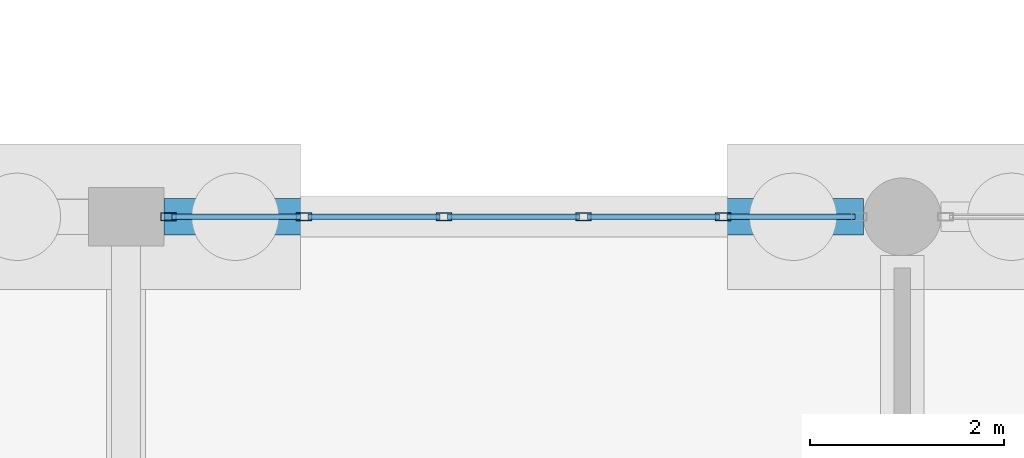
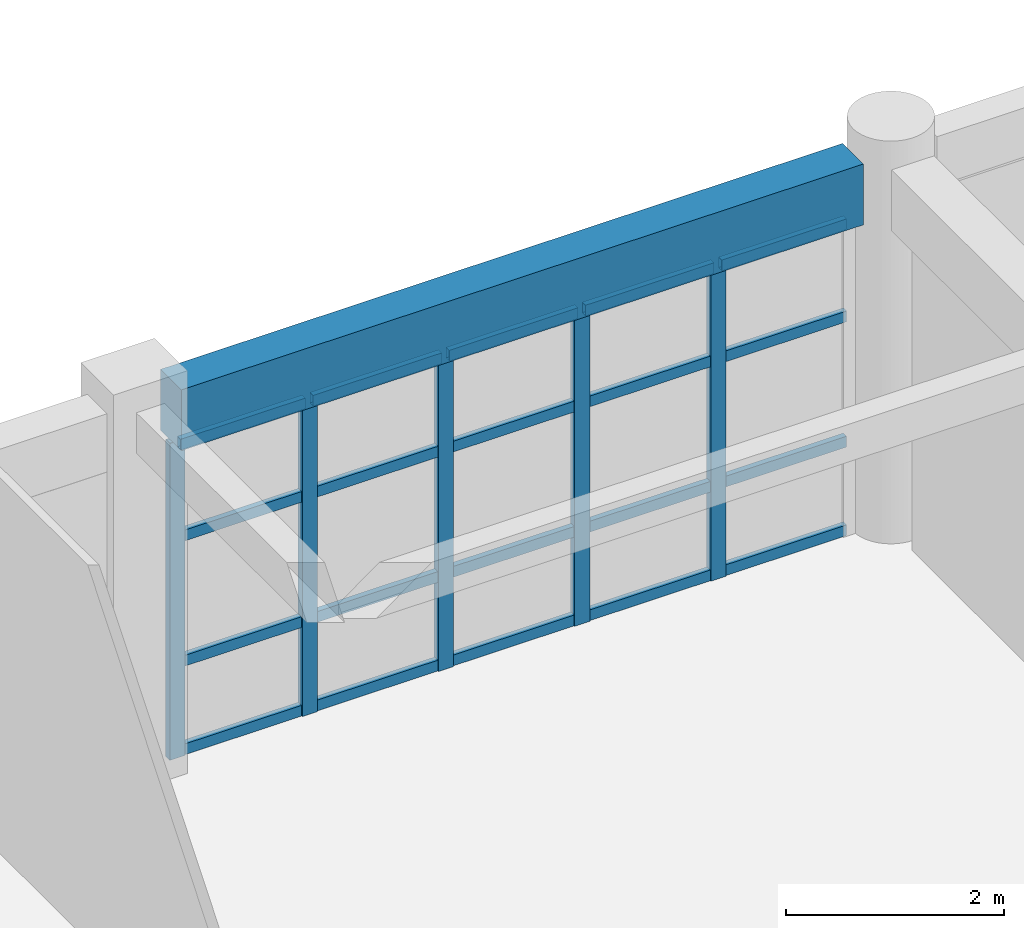
# One storey, part 62 of 166: 25 members, 1 beam, 1 element without a shape of its own.
"""IFC4 building model written with IfcOpenShell, lengths in metres."""

from ifc_helpers import new_model, si_unit, direction, frame, origin, origin_2d, place, context, subcontext, project, spatial, rectangle, hollow_rectangle, extrude, material, material_profile, profile_set, type_object, element, aggregate, save


model = new_model("IFC4")

# Units and contexts
model_context = context("Model", 3, precision=1e-05, world=origin(), true_north=direction((0.0, 1.0)))
body_context = subcontext(model_context, "Body", "Model", "MODEL_VIEW")
ifc_project = project(units=[si_unit("LENGTHUNIT", "METRE"), si_unit("AREAUNIT", "SQUARE_METRE"), si_unit("VOLUMEUNIT", "CUBIC_METRE"), si_unit("PLANEANGLEUNIT", "RADIAN"), si_unit("MASSUNIT", "GRAM", prefix="KILO")], contexts=[model_context])

# Site, building, storey
site_placement = place(None, origin())
site = spatial("IfcSite", under=ifc_project, at=site_placement, CompositionType="ELEMENT")
building_placement = place(site_placement, origin())
building = spatial("IfcBuilding", under=site, at=building_placement, Name="Kharva Crest Polytechnic", CompositionType="ELEMENT")
storey_placement = place(building_placement, origin())
storey = spatial("IfcBuildingStorey", under=building, at=storey_placement, Name="L00", CompositionType="ELEMENT", Elevation=0.0)

# Curtain wall, members
ifc_material_1 = material(Name="Tempered insulated glass", Category="glass")
curtain_wall_type = type_object("IfcCurtainWallType", Name="CW-SYS-COURT", PredefinedType="USERDEFINED", material=ifc_material_1)
curtain_wall_placement = place(storey_placement, origin())
curtain_wall = element("IfcCurtainWall", 1, at=curtain_wall_placement, inside=storey, type_object=curtain_wall_type, Name="L00 Glazed Curtain Wall CW-030", ObjectType="CURTAIN WALL", PredefinedType="USERDEFINED")
ifc_material_2 = material(Name="Steel S355", Category="steel")
ifc_material_profile_1 = material_profile(ifc_material_2, hollow_rectangle(XDim=0.080078125, YDim=0.159912109375, WallThickness=0.0048828125, at=origin_2d()), Name="RHS 160X80X5.0")
ifc_profile_set_1 = profile_set([ifc_material_profile_1], Name="Steel S355")
member_type_1 = type_object("IfcMemberType", Name="CWM-RHS160X80", PredefinedType="MULLION", material=ifc_profile_set_1)
member_1_placement = place(storey_placement, frame((46.155029296875, 122.0, 0.0), z_axis=(0.0, 0.0, 1.0), x_axis=(0.0, -1.0, 0.0)))
member_1 = element("IfcMember", 2, at=member_1_placement, type_object=member_type_1, Name="CW-030 mullion 2", PredefinedType="MULLION", context=body_context, shape_type="SweptSolid", body=[
    extrude(hollow_rectangle(XDim=0.080078125, YDim=0.159912109375, WallThickness=0.0048828125, at=origin_2d()), origin(), (0.0, 0.0, 1.0), 3.5400390625),
])
member_2_placement = place(storey_placement, frame((44.715087890625, 122.0, 0.0), z_axis=(0.0, 0.0, 1.0), x_axis=(0.0, -1.0, 0.0)))
member_2 = element("IfcMember", 3, at=member_2_placement, type_object=member_type_1, Name="CW-030 mullion 3", PredefinedType="MULLION", context=body_context, shape_type="SweptSolid", body=[
    extrude(hollow_rectangle(XDim=0.080078125, YDim=0.159912109375, WallThickness=0.0048828125, at=origin_2d()), origin(), (0.0, 0.0, 1.0), 3.5400390625),
])
member_3_placement = place(storey_placement, frame((43.27490234375, 122.0, 0.0), z_axis=(0.0, 0.0, 1.0), x_axis=(0.0, -1.0, 0.0)))
member_3 = element("IfcMember", 4, at=member_3_placement, type_object=member_type_1, Name="CW-030 mullion 4", PredefinedType="MULLION", context=body_context, shape_type="SweptSolid", body=[
    extrude(hollow_rectangle(XDim=0.080078125, YDim=0.159912109375, WallThickness=0.0048828125, at=origin_2d()), origin(), (0.0, 0.0, 1.0), 3.5400390625),
])
member_4_placement = place(storey_placement, frame((41.8349609375, 122.0, 0.0), z_axis=(0.0, 0.0, 1.0), x_axis=(0.0, -1.0, 0.0)))
member_4 = element("IfcMember", 5, at=member_4_placement, type_object=member_type_1, Name="CW-030 mullion 5", PredefinedType="MULLION", context=body_context, shape_type="SweptSolid", body=[
    extrude(hollow_rectangle(XDim=0.080078125, YDim=0.159912109375, WallThickness=0.0048828125, at=origin_2d()), origin(), (0.0, 0.0, 1.0), 3.5400390625),
])
member_5_placement = place(storey_placement, frame((40.43505859375, 122.0, 0.0), z_axis=(0.0, 0.0, 1.0), x_axis=(0.0, -1.0, 0.0)))
member_5 = element("IfcMember", 6, at=member_5_placement, type_object=member_type_1, Name="CW-030 mullion 6", PredefinedType="MULLION", context=body_context, shape_type="SweptSolid", body=[
    extrude(hollow_rectangle(XDim=0.080078125, YDim=0.159912109375, WallThickness=0.0048828125, at=origin_2d()), origin(), (0.0, 0.0, 1.0), 3.5400390625),
])
ifc_material_profile_2 = material_profile(ifc_material_2, hollow_rectangle(XDim=0.06005859375, YDim=0.1201171875, WallThickness=0.00390625, at=origin_2d()), Name="RHS 120X60X4.0")
ifc_profile_set_2 = profile_set([ifc_material_profile_2], Name="Steel S355")
member_type_2 = type_object("IfcMemberType", Name="CWT-RHS120X60", PredefinedType="USERDEFINED", material=ifc_profile_set_2)
member_6_placement = place(storey_placement, frame((47.514892578125, 122.0, 0.06005859375), z_axis=(-1.0, 0.0, 0.0), x_axis=(0.0, -1.0, 0.0)))
member_6 = element("IfcMember", 7, at=member_6_placement, type_object=member_type_2, Name="CW-030 transom 1.1", ObjectType="TRANSOM", PredefinedType="USERDEFINED", context=body_context, shape_type="SweptSolid", body=[
    extrude(hollow_rectangle(XDim=0.06005859375, YDim=0.1201171875, WallThickness=0.00390625, at=origin_2d()), origin(), (0.0, 0.0, 1.0), 1.31982421875),
])
member_7_placement = place(storey_placement, frame((47.514892578125, 122.0, 1.050048828125), z_axis=(-1.0, 0.0, 0.0), x_axis=(0.0, -1.0, 0.0)))
member_7 = element("IfcMember", 8, at=member_7_placement, type_object=member_type_2, Name="CW-030 transom 1.2", ObjectType="TRANSOM", PredefinedType="USERDEFINED", context=body_context, shape_type="SweptSolid", body=[
    extrude(hollow_rectangle(XDim=0.06005859375, YDim=0.1201171875, WallThickness=0.00390625, at=origin_2d()), origin(), (0.0, 0.0, 1.0), 1.31982421875),
])
member_8_placement = place(storey_placement, frame((47.514892578125, 122.0, 2.449951171875), z_axis=(-1.0, 0.0, 0.0), x_axis=(0.0, -1.0, 0.0)))
member_8 = element("IfcMember", 9, at=member_8_placement, type_object=member_type_2, Name="CW-030 transom 1.3", ObjectType="TRANSOM", PredefinedType="USERDEFINED", context=body_context, shape_type="SweptSolid", body=[
    extrude(hollow_rectangle(XDim=0.06005859375, YDim=0.1201171875, WallThickness=0.00390625, at=origin_2d()), origin(), (0.0, 0.0, 1.0), 1.31982421875),
])
member_9_placement = place(storey_placement, frame((47.514892578125, 122.0, 3.47998046875), z_axis=(-1.0, 0.0, 0.0), x_axis=(0.0, -1.0, 0.0)))
member_9 = element("IfcMember", 10, at=member_9_placement, type_object=member_type_2, Name="CW-030 transom 1.4", ObjectType="TRANSOM", PredefinedType="USERDEFINED", context=body_context, shape_type="SweptSolid", body=[
    extrude(hollow_rectangle(XDim=0.06005859375, YDim=0.1201171875, WallThickness=0.00390625, at=origin_2d()), origin(), (0.0, 0.0, 1.0), 1.31982421875),
])
member_10_placement = place(storey_placement, frame((46.114990234375, 122.0, 0.06005859375), z_axis=(-1.0, 0.0, 0.0), x_axis=(0.0, -1.0, 0.0)))
member_10 = element("IfcMember", 11, at=member_10_placement, type_object=member_type_2, Name="CW-030 transom 2.1", ObjectType="TRANSOM", PredefinedType="USERDEFINED", context=body_context, shape_type="SweptSolid", body=[
    extrude(hollow_rectangle(XDim=0.06005859375, YDim=0.1201171875, WallThickness=0.00390625, at=origin_2d()), origin(), (0.0, 0.0, 1.0), 1.360107421875),
])
member_11_placement = place(storey_placement, frame((46.114990234375, 122.0, 1.050048828125), z_axis=(-1.0, 0.0, 0.0), x_axis=(0.0, -1.0, 0.0)))
member_11 = element("IfcMember", 12, at=member_11_placement, type_object=member_type_2, Name="CW-030 transom 2.2", ObjectType="TRANSOM", PredefinedType="USERDEFINED", context=body_context, shape_type="SweptSolid", body=[
    extrude(hollow_rectangle(XDim=0.06005859375, YDim=0.1201171875, WallThickness=0.00390625, at=origin_2d()), origin(), (0.0, 0.0, 1.0), 1.360107421875),
])
member_12_placement = place(storey_placement, frame((46.114990234375, 122.0, 2.449951171875), z_axis=(-1.0, 0.0, 0.0), x_axis=(0.0, -1.0, 0.0)))
member_12 = element("IfcMember", 13, at=member_12_placement, type_object=member_type_2, Name="CW-030 transom 2.3", ObjectType="TRANSOM", PredefinedType="USERDEFINED", context=body_context, shape_type="SweptSolid", body=[
    extrude(hollow_rectangle(XDim=0.06005859375, YDim=0.1201171875, WallThickness=0.00390625, at=origin_2d()), origin(), (0.0, 0.0, 1.0), 1.360107421875),
])
member_13_placement = place(storey_placement, frame((46.114990234375, 122.0, 3.47998046875), z_axis=(-1.0, 0.0, 0.0), x_axis=(0.0, -1.0, 0.0)))
member_13 = element("IfcMember", 14, at=member_13_placement, type_object=member_type_2, Name="CW-030 transom 2.4", ObjectType="TRANSOM", PredefinedType="USERDEFINED", context=body_context, shape_type="SweptSolid", body=[
    extrude(hollow_rectangle(XDim=0.06005859375, YDim=0.1201171875, WallThickness=0.00390625, at=origin_2d()), origin(), (0.0, 0.0, 1.0), 1.360107421875),
])
member_14_placement = place(storey_placement, frame((44.675048828125, 122.0, 0.06005859375), z_axis=(-1.0, 0.0, 0.0), x_axis=(0.0, -1.0, 0.0)))
member_14 = element("IfcMember", 15, at=member_14_placement, type_object=member_type_2, Name="CW-030 transom 3.1", ObjectType="TRANSOM", PredefinedType="USERDEFINED", context=body_context, shape_type="SweptSolid", body=[
    extrude(hollow_rectangle(XDim=0.06005859375, YDim=0.1201171875, WallThickness=0.00390625, at=origin_2d()), origin(), (0.0, 0.0, 1.0), 1.360107421875),
])
member_15_placement = place(storey_placement, frame((44.675048828125, 122.0, 1.050048828125), z_axis=(-1.0, 0.0, 0.0), x_axis=(0.0, -1.0, 0.0)))
member_15 = element("IfcMember", 16, at=member_15_placement, type_object=member_type_2, Name="CW-030 transom 3.2", ObjectType="TRANSOM", PredefinedType="USERDEFINED", context=body_context, shape_type="SweptSolid", body=[
    extrude(hollow_rectangle(XDim=0.06005859375, YDim=0.1201171875, WallThickness=0.00390625, at=origin_2d()), origin(), (0.0, 0.0, 1.0), 1.360107421875),
])
member_16_placement = place(storey_placement, frame((44.675048828125, 122.0, 2.449951171875), z_axis=(-1.0, 0.0, 0.0), x_axis=(0.0, -1.0, 0.0)))
member_16 = element("IfcMember", 17, at=member_16_placement, type_object=member_type_2, Name="CW-030 transom 3.3", ObjectType="TRANSOM", PredefinedType="USERDEFINED", context=body_context, shape_type="SweptSolid", body=[
    extrude(hollow_rectangle(XDim=0.06005859375, YDim=0.1201171875, WallThickness=0.00390625, at=origin_2d()), origin(), (0.0, 0.0, 1.0), 1.360107421875),
])
member_17_placement = place(storey_placement, frame((44.675048828125, 122.0, 3.47998046875), z_axis=(-1.0, 0.0, 0.0), x_axis=(0.0, -1.0, 0.0)))
member_17 = element("IfcMember", 18, at=member_17_placement, type_object=member_type_2, Name="CW-030 transom 3.4", ObjectType="TRANSOM", PredefinedType="USERDEFINED", context=body_context, shape_type="SweptSolid", body=[
    extrude(hollow_rectangle(XDim=0.06005859375, YDim=0.1201171875, WallThickness=0.00390625, at=origin_2d()), origin(), (0.0, 0.0, 1.0), 1.360107421875),
])
member_18_placement = place(storey_placement, frame((43.235107421875, 122.0, 0.06005859375), z_axis=(-1.0, 0.0, 0.0), x_axis=(0.0, -1.0, 0.0)))
member_18 = element("IfcMember", 19, at=member_18_placement, type_object=member_type_2, Name="CW-030 transom 4.1", ObjectType="TRANSOM", PredefinedType="USERDEFINED", context=body_context, shape_type="SweptSolid", body=[
    extrude(hollow_rectangle(XDim=0.06005859375, YDim=0.1201171875, WallThickness=0.00390625, at=origin_2d()), origin(), (0.0, 0.0, 1.0), 1.360107421875),
])
member_19_placement = place(storey_placement, frame((43.235107421875, 122.0, 1.050048828125), z_axis=(-1.0, 0.0, 0.0), x_axis=(0.0, -1.0, 0.0)))
member_19 = element("IfcMember", 20, at=member_19_placement, type_object=member_type_2, Name="CW-030 transom 4.2", ObjectType="TRANSOM", PredefinedType="USERDEFINED", context=body_context, shape_type="SweptSolid", body=[
    extrude(hollow_rectangle(XDim=0.06005859375, YDim=0.1201171875, WallThickness=0.00390625, at=origin_2d()), origin(), (0.0, 0.0, 1.0), 1.360107421875),
])
member_20_placement = place(storey_placement, frame((43.235107421875, 122.0, 2.449951171875), z_axis=(-1.0, 0.0, 0.0), x_axis=(0.0, -1.0, 0.0)))
member_20 = element("IfcMember", 21, at=member_20_placement, type_object=member_type_2, Name="CW-030 transom 4.3", ObjectType="TRANSOM", PredefinedType="USERDEFINED", context=body_context, shape_type="SweptSolid", body=[
    extrude(hollow_rectangle(XDim=0.06005859375, YDim=0.1201171875, WallThickness=0.00390625, at=origin_2d()), origin(), (0.0, 0.0, 1.0), 1.360107421875),
])
member_21_placement = place(storey_placement, frame((43.235107421875, 122.0, 3.47998046875), z_axis=(-1.0, 0.0, 0.0), x_axis=(0.0, -1.0, 0.0)))
member_21 = element("IfcMember", 22, at=member_21_placement, type_object=member_type_2, Name="CW-030 transom 4.4", ObjectType="TRANSOM", PredefinedType="USERDEFINED", context=body_context, shape_type="SweptSolid", body=[
    extrude(hollow_rectangle(XDim=0.06005859375, YDim=0.1201171875, WallThickness=0.00390625, at=origin_2d()), origin(), (0.0, 0.0, 1.0), 1.360107421875),
])
member_22_placement = place(storey_placement, frame((41.794921875, 122.0, 0.06005859375), z_axis=(-1.0, 0.0, 0.0), x_axis=(0.0, -1.0, 0.0)))
member_22 = element("IfcMember", 23, at=member_22_placement, type_object=member_type_2, Name="CW-030 transom 5.1", ObjectType="TRANSOM", PredefinedType="USERDEFINED", context=body_context, shape_type="SweptSolid", body=[
    extrude(hollow_rectangle(XDim=0.06005859375, YDim=0.1201171875, WallThickness=0.00390625, at=origin_2d()), origin(), (0.0, 0.0, 1.0), 1.31982421875),
])
member_23_placement = place(storey_placement, frame((41.794921875, 122.0, 1.050048828125), z_axis=(-1.0, 0.0, 0.0), x_axis=(0.0, -1.0, 0.0)))
member_23 = element("IfcMember", 24, at=member_23_placement, type_object=member_type_2, Name="CW-030 transom 5.2", ObjectType="TRANSOM", PredefinedType="USERDEFINED", context=body_context, shape_type="SweptSolid", body=[
    extrude(hollow_rectangle(XDim=0.06005859375, YDim=0.1201171875, WallThickness=0.00390625, at=origin_2d()), origin(), (0.0, 0.0, 1.0), 1.31982421875),
])
member_24_placement = place(storey_placement, frame((41.794921875, 122.0, 2.449951171875), z_axis=(-1.0, 0.0, 0.0), x_axis=(0.0, -1.0, 0.0)))
member_24 = element("IfcMember", 25, at=member_24_placement, type_object=member_type_2, Name="CW-030 transom 5.3", ObjectType="TRANSOM", PredefinedType="USERDEFINED", context=body_context, shape_type="SweptSolid", body=[
    extrude(hollow_rectangle(XDim=0.06005859375, YDim=0.1201171875, WallThickness=0.00390625, at=origin_2d()), origin(), (0.0, 0.0, 1.0), 1.31982421875),
])
member_25_placement = place(storey_placement, frame((41.794921875, 122.0, 3.47998046875), z_axis=(-1.0, 0.0, 0.0), x_axis=(0.0, -1.0, 0.0)))
member_25 = element("IfcMember", 26, at=member_25_placement, type_object=member_type_2, Name="CW-030 transom 5.4", ObjectType="TRANSOM", PredefinedType="USERDEFINED", context=body_context, shape_type="SweptSolid", body=[
    extrude(hollow_rectangle(XDim=0.06005859375, YDim=0.1201171875, WallThickness=0.00390625, at=origin_2d()), origin(), (0.0, 0.0, 1.0), 1.31982421875),
])
aggregate(curtain_wall, [member_1, member_2, member_3, member_4, member_5, member_6, member_7, member_8, member_9, member_10, member_11, member_12, member_13, member_14, member_15, member_16, member_17, member_18, member_19, member_20, member_21, member_22, member_23, member_24, member_25])

# Beam
ifc_material_3 = material(Name="Concrete C35/45", Category="concrete")
ifc_material_profile_3 = material_profile(ifc_material_3, rectangle(XDim=0.3798828125, YDim=0.679931640625, at=origin_2d()), Name="RECT 380 X 680")
ifc_profile_set_3 = profile_set([ifc_material_profile_3], Name="Concrete C35/45")
beam_type = type_object("IfcBeamType", Name="SP-RC-380X680", PredefinedType="SPANDREL", material=ifc_profile_set_3)
beam_placement = place(storey_placement, frame((40.389892578125, 122.0, 3.8798828125), z_axis=(1.0, 0.0, 0.0), x_axis=(0.0, 1.0, 0.0)))
element("IfcBeam", 27, at=beam_placement, inside=storey, type_object=beam_type, Name="L00 Beam S/6-7", PredefinedType="SPANDREL", context=body_context, shape_type="SweptSolid", body=[
    extrude(rectangle(XDim=0.3798828125, YDim=0.679931640625, at=origin_2d()), origin(), (0.0, 0.0, 1.0), 7.210205078125),
])

save(model, "model.ifc")
